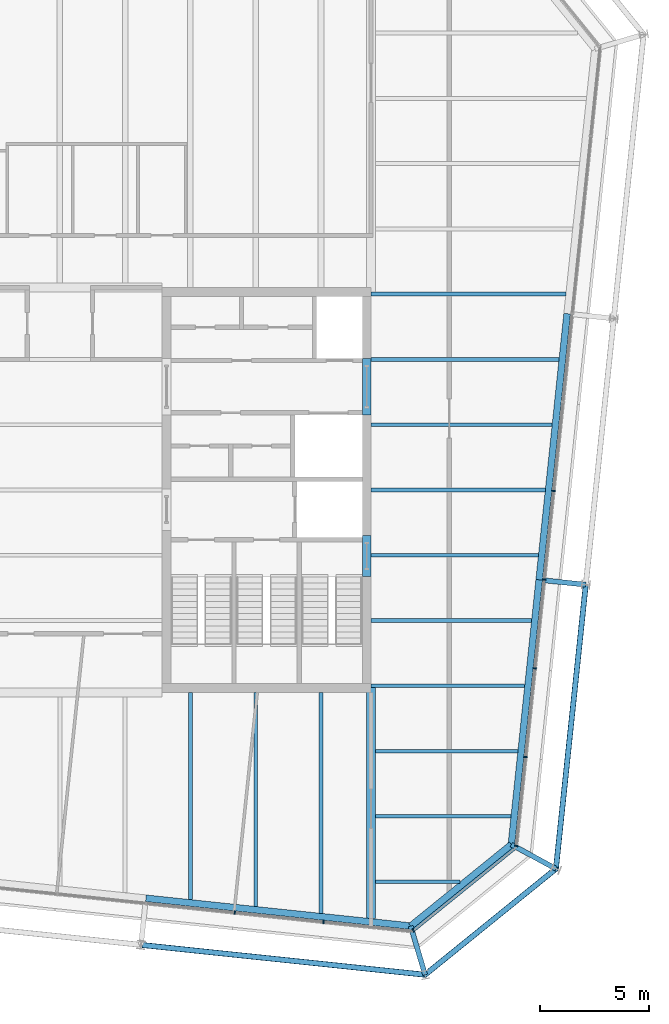
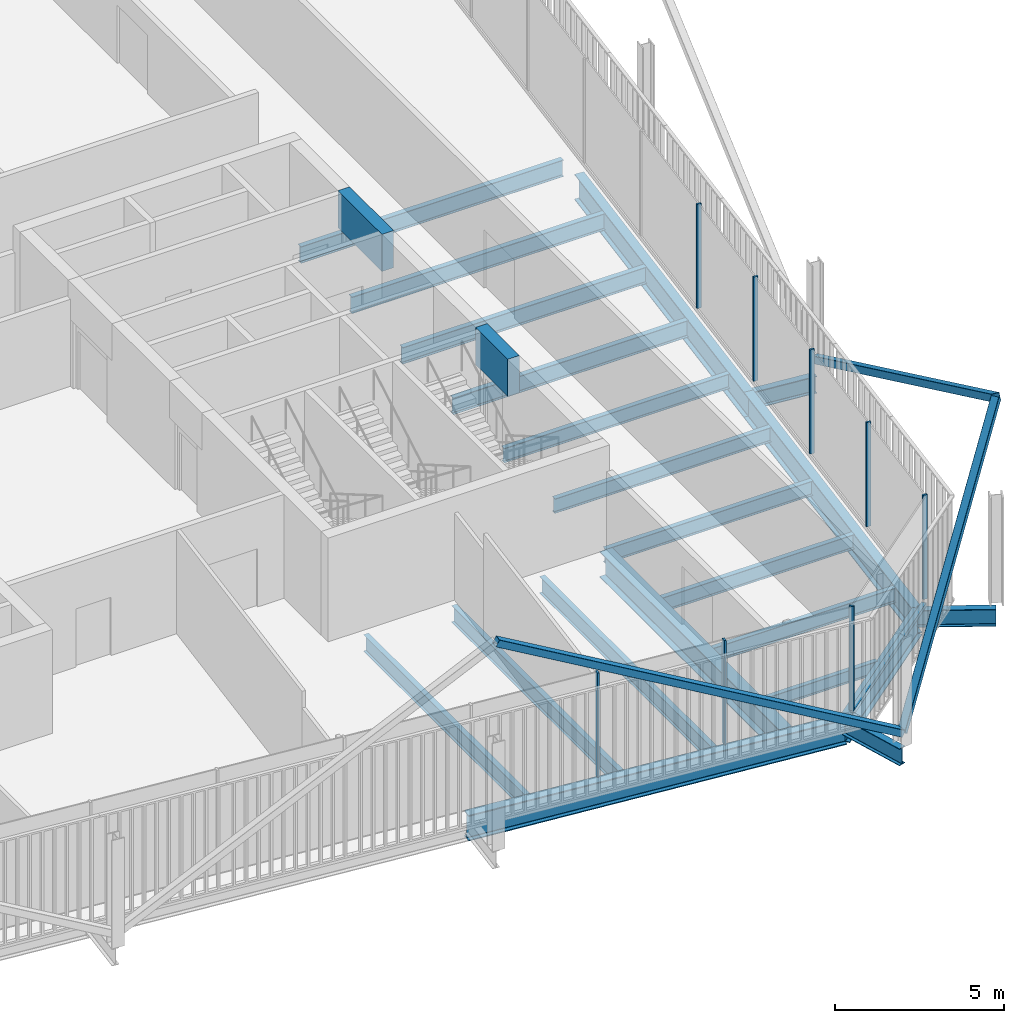
# One storey, part 9 of 21: 23 beams, 12 members, 3 elements without a shape of their own.
"""IFC4 building model written with IfcOpenShell, lengths in metres."""

import ifcopenshell
import ifcopenshell.guid

model = None  # the IFC model being written
_history = None  # IfcOwnerHistory: only IFC2X3 demands one
_inside = {}  # id of a spatial element -> (the spatial element, [elements in it])
_under = {}  # id of a project, library or spatial element -> (it, [spatial elements below it])
_declared = {}  # id of a project -> (the project, [libraries it declares])
_typed = {}  # id of a type object -> (the type object, [elements of that type])
_made_of = {}  # id of a material, layer set ... -> (it, [elements and type objects made of it])


def new_model(schema):
    """Start an empty IFC model of exactly this schema.

    Asked for "IFC4X3", IfcOpenShell would pick the latest addendum, in which some entities
    have other attributes; the version numbers below select the first issue.
    IFC2X3 requires an IfcOwnerHistory on every rooted entity: one is made here for all.
    """
    global model, _history
    if schema == "IFC4X3":
        model = ifcopenshell.file(schema_version=(4, 3, 0, 0))
    else:
        model = ifcopenshell.file(schema=schema)
    _inside.clear()
    _under.clear()
    _declared.clear()
    _typed.clear()
    _made_of.clear()
    _history = None
    if model.schema == "IFC2X3":
        org = make("IfcOrganization", Name="unknown")
        user = make(
            "IfcPersonAndOrganization",
            ThePerson=make("IfcPerson", FamilyName="unknown"),
            TheOrganization=org,
        )
        app = make(
            "IfcApplication",
            ApplicationDeveloper=org,
            Version="unknown",
            ApplicationFullName="unknown",
            ApplicationIdentifier="unknown",
        )
        _history = make(
            "IfcOwnerHistory",
            OwningUser=user,
            OwningApplication=app,
            ChangeAction="ADDED",
            CreationDate=0,
        )
    return model


def make(cls, **values):
    """One entity of the class cls with the attributes given. An attribute that is None is left unset."""
    return model.create_entity(
        cls, **{name: value for name, value in values.items() if value is not None}
    )


def rooted(cls, **values):
    """An entity with a GlobalId (a new one), such as an element, a storey or a relation."""
    return make(cls, GlobalId=ifcopenshell.guid.new(), OwnerHistory=_history, **values)


def si_unit(unit_type, name, prefix=None):
    """IfcSIUnit, for example si_unit("LENGTHUNIT", "METRE", prefix="MILLI")."""
    return make("IfcSIUnit", UnitType=unit_type, Prefix=prefix, Name=name)


def assignment(units):
    """IfcUnitAssignment: the units of a project."""
    return None if units is None else make("IfcUnitAssignment", Units=units)


def point(xyz):
    """IfcCartesianPoint."""
    return None if xyz is None else make("IfcCartesianPoint", Coordinates=xyz)


def direction(xyz):
    """IfcDirection."""
    return None if xyz is None else make("IfcDirection", DirectionRatios=xyz)


def frame(location, z_axis=None, x_axis=None):
    """IfcAxis2Placement3D, a coordinate frame: its origin and axes. An axis left out is left unset."""
    return make(
        "IfcAxis2Placement3D",
        Location=point(location),
        Axis=direction(z_axis),
        RefDirection=direction(x_axis),
    )


def frame_2d(location, x_axis=None):
    """IfcAxis2Placement2D, a coordinate frame in the plane: its origin and x axis."""
    return make(
        "IfcAxis2Placement2D", Location=point(location), RefDirection=direction(x_axis)
    )


def origin():
    """The frame at (0, 0, 0) with its axes left unset."""
    return frame((0.0, 0.0, 0.0))


def origin_2d():
    """The frame at (0, 0) in the plane with its x axis left unset."""
    return frame_2d((0.0, 0.0))


def place(relative_to, where):
    """IfcLocalPlacement: puts the frame where relative to a parent placement (None: the world)."""
    return make(
        "IfcLocalPlacement", PlacementRelTo=relative_to, RelativePlacement=where
    )


def context(
    kind, dimensions, precision=None, world=None, true_north=None, identifier=None
):
    """IfcGeometricRepresentationContext, for example the 3D "Model" context."""
    return make(
        "IfcGeometricRepresentationContext",
        ContextIdentifier=identifier,
        ContextType=kind,
        CoordinateSpaceDimension=dimensions,
        Precision=precision,
        WorldCoordinateSystem=world,
        TrueNorth=true_north,
    )


def subcontext(parent, identifier, kind, view, scale=None):
    """IfcGeometricRepresentationSubContext, for example "Body" below "Model"."""
    return make(
        "IfcGeometricRepresentationSubContext",
        ContextIdentifier=identifier,
        ContextType=kind,
        ParentContext=parent,
        TargetScale=scale,
        TargetView=view,
    )


def project(units=None, contexts=None):
    """IfcProject with its units and contexts."""
    return rooted(
        "IfcProject",
        Name="project",
        RepresentationContexts=contexts,
        UnitsInContext=assignment(units),
    )


def spatial(cls, under=None, at=None, **own):
    """A site, building, storey or space (cls), placed at a placement, below another one or the project."""
    s = rooted(cls, ObjectPlacement=at, **own)
    if under is not None:
        _under.setdefault(under.id(), (under, []))[1].append(s)
    return s


def profile(cls, at=None, kind="AREA", **sizes):
    """A parametric profile (cls). Its sizes go by their IFC names, for example OverallWidth=200.0."""
    return make(cls, ProfileType=kind, Position=at, **sizes)


def rectangle(**sizes):
    """IfcRectangleProfileDef."""
    return profile("IfcRectangleProfileDef", **sizes)


def hollow_rectangle(**sizes):
    """IfcRectangleHollowProfileDef."""
    return profile("IfcRectangleHollowProfileDef", **sizes)


def i_section(**sizes):
    """IfcIShapeProfileDef."""
    return profile("IfcIShapeProfileDef", **sizes)


def extrude(swept, where, along, depth):
    """IfcExtrudedAreaSolid: the profile swept, set in the frame where, extruded along a direction by depth."""
    return make(
        "IfcExtrudedAreaSolid",
        SweptArea=swept,
        Position=where,
        ExtrudedDirection=direction(along),
        Depth=depth,
    )


def shape(context_of_items, identifier, shape_type, items):
    """IfcShapeRepresentation: the items that make up one representation, for example the "Body"."""
    return make(
        "IfcShapeRepresentation",
        ContextOfItems=context_of_items,
        RepresentationIdentifier=identifier,
        RepresentationType=shape_type,
        Items=items,
    )


def material(Name=None, Category=None):
    """IfcMaterial."""
    return make("IfcMaterial", Name=Name, Category=Category)


def layer(
    of_material, thickness, ventilated=None, Name=None, Category=None, Priority=None
):
    """IfcMaterialLayer: one layer of a wall or slab, of a material (None: an air gap)."""
    return make(
        "IfcMaterialLayer",
        Material=of_material,
        LayerThickness=thickness,
        IsVentilated=ventilated,
        Name=Name,
        Category=Category,
        Priority=Priority,
    )


def layer_set(layers, Name=None):
    """IfcMaterialLayerSet."""
    return make("IfcMaterialLayerSet", MaterialLayers=layers, LayerSetName=Name)


def material_profile(
    of_material, cross_section, Name=None, Category=None, Priority=None
):
    """IfcMaterialProfile: a cross section and its material."""
    return make(
        "IfcMaterialProfile",
        Name=Name,
        Material=of_material,
        Profile=cross_section,
        Priority=Priority,
        Category=Category,
    )


def profile_set(profiles, Name=None, composite=None):
    """IfcMaterialProfileSet."""
    return make(
        "IfcMaterialProfileSet",
        Name=Name,
        MaterialProfiles=profiles,
        CompositeProfile=composite,
    )


def made_of(thing, what):
    """Note that an element or type object is made of a material, layer set ...; save() writes the relation."""
    if what is not None:
        _made_of.setdefault(what.id(), (what, []))[1].append(thing)
    return thing


def type_object(cls, material=None, **own):
    """A type object (cls), such as IfcWallType, which elements share."""
    return made_of(rooted(cls, **own), material)


def element(
    cls,
    number,
    at=None,
    inside=None,
    cuts=None,
    type_object=None,
    material=None,
    context=None,
    identifier="Body",
    shape_type=None,
    held_by="IfcProductDefinitionShape",
    body=None,
    shapes=None,
    **own,
):
    """One element of the class cls, such as IfcWall. Its Tag is "e" and its number.

    at: its placement. inside: the storey or other place that contains it. cuts: it is an
    opening in that element (IfcRelVoidsElement). A single representation is given by context,
    identifier, shape_type and body (its items); several are given by shapes. held_by: the class
    of the entity that holds the representations. save() writes the other relations.
    """
    e = rooted(cls, Tag="e%d" % number, ObjectPlacement=at, **own)
    if body is not None:
        shapes = [shape(context, identifier, shape_type, body)]
    if shapes is not None:
        e.Representation = make(held_by, Representations=shapes)
    if inside is not None:
        _inside.setdefault(inside.id(), (inside, []))[1].append(e)
    if cuts is not None:
        rooted(
            "IfcRelVoidsElement", RelatingBuildingElement=cuts, RelatedOpeningElement=e
        )
    if type_object is not None:
        _typed.setdefault(type_object.id(), (type_object, []))[1].append(e)
    return made_of(e, material)


def aggregate(whole, parts):
    """IfcRelAggregates: a whole, such as a stair, and the parts it consists of."""
    return rooted("IfcRelAggregates", RelatingObject=whole, RelatedObjects=parts)


def save(model, path):
    """Write the relations noted so far, then the file.

    IfcRelAggregates (storeys below a building ...), IfcRelContainedInSpatialStructure (elements
    in a storey), IfcRelDefinesByType, IfcRelAssociatesMaterial and IfcRelDeclares: one each for
    every whole, place, type object, material and project.
    """
    for whole, parts in _under.values():
        aggregate(whole, parts)
    for where, things in _inside.values():
        rooted(
            "IfcRelContainedInSpatialStructure",
            RelatedElements=things,
            RelatingStructure=where,
        )
    for kind, things in _typed.values():
        rooted("IfcRelDefinesByType", RelatedObjects=things, RelatingType=kind)
    for what, things in _made_of.values():
        rooted("IfcRelAssociatesMaterial", RelatedObjects=things, RelatingMaterial=what)
    for by, libraries in _declared.values():
        rooted("IfcRelDeclares", RelatingContext=by, RelatedDefinitions=libraries)
    model.write(path)


model = new_model("IFC4")

# Units and contexts
model_context = context("Model", 3, precision=1e-05, world=origin(), true_north=direction((0.0, 1.0)))
body_context = subcontext(model_context, "Body", "Model", "MODEL_VIEW")
ifc_project = project(units=[si_unit("LENGTHUNIT", "METRE"), si_unit("AREAUNIT", "SQUARE_METRE"), si_unit("VOLUMEUNIT", "CUBIC_METRE"), si_unit("PLANEANGLEUNIT", "RADIAN"), si_unit("MASSUNIT", "GRAM", prefix="KILO")], contexts=[model_context])

# Site, building, storey
site_placement = place(None, origin())
site = spatial("IfcSite", under=ifc_project, at=site_placement, CompositionType="ELEMENT")
building_placement = place(site_placement, origin())
building = spatial("IfcBuilding", under=site, at=building_placement, Name="Millrace Tower", CompositionType="ELEMENT")
storey_placement = place(building_placement, frame((0.0, 0.0, 326.5)))
storey = spatial("IfcBuildingStorey", under=building, at=storey_placement, Name="L75", CompositionType="ELEMENT", Elevation=326.5)

# Curtain wall, members
ifc_material_1 = material(Name="Aluminium and glass", Category="aluminium")
ifc_layer = layer(ifc_material_1, 0.14990234375)
ifc_layer_set = layer_set([ifc_layer], Name="Aluminium and glass")
curtain_wall_type = type_object("IfcCurtainWallType", Name="CW-1 office vision curtain wall", PredefinedType="NOTDEFINED", material=ifc_layer_set)
placement = place(storey_placement, origin())
curtain_wall_1 = element("IfcCurtainWall", 1, at=placement, inside=storey, type_object=curtain_wall_type, Name="Curtain wall E-F02 L75", PredefinedType="NOTDEFINED")
ifc_material_2 = material(Name="Aluminium", Category="aluminium")
ifc_material_profile_1 = material_profile(ifc_material_2, rectangle(XDim=0.06494140625, YDim=0.14990234375, at=origin_2d()))
ifc_profile_set_1 = profile_set([ifc_material_profile_1], Name="Aluminium")
member_type_1 = type_object("IfcMemberType", Name="CW-1 office vision curtain wall mullion", PredefinedType="MULLION", material=ifc_profile_set_1)
member_1_placement = place(storey_placement, frame((8.040283203125, -19.4248046875, 0.139892578125), z_axis=(0.0, 0.0, 1.0), x_axis=(0.994521896217, -0.104528455196, 0.0)))
member_1 = element("IfcMember", 2, at=member_1_placement, type_object=member_type_1, Name="CW1 mullion E-F02.8", PredefinedType="MULLION", context=body_context, shape_type="SweptSolid", body=[
    extrude(rectangle(XDim=0.06494140625, YDim=0.14990234375, at=origin_2d()), origin(), (0.0, 0.0, 1.0), 3.760009765625),
])
member_2_placement = place(storey_placement, frame((12.117919921875, -19.853271484375, 0.139892578125), z_axis=(0.0, 0.0, 1.0), x_axis=(0.994521896217, -0.104528455196, 0.0)))
member_2 = element("IfcMember", 3, at=member_2_placement, type_object=member_type_1, Name="CW1 mullion E-F02.9", PredefinedType="MULLION", context=body_context, shape_type="SweptSolid", body=[
    extrude(rectangle(XDim=0.06494140625, YDim=0.14990234375, at=origin_2d()), origin(), (0.0, 0.0, 1.0), 3.760009765625),
])
aggregate(curtain_wall_1, [member_1, member_2])

# Curtain wall, member
curtain_wall_2 = element("IfcCurtainWall", 4, at=placement, inside=storey, type_object=curtain_wall_type, Name="Curtain wall E-F03 L75", PredefinedType="NOTDEFINED")
member_3_placement = place(storey_placement, frame((16.243408203125, -20.24169921875, 0.139892578125), z_axis=(0.0, 0.0, 1.0), x_axis=(0.777146052237, 0.629320278945, 0.0)))
member_3 = element("IfcMember", 5, at=member_3_placement, type_object=member_type_1, Name="CW1 mullion E-F03.1", PredefinedType="MULLION", context=body_context, shape_type="SweptSolid", body=[
    extrude(rectangle(XDim=0.06494140625, YDim=0.14990234375, at=origin_2d()), origin(), (0.0, 0.0, 1.0), 3.760009765625),
])

# Curtain wall, members
curtain_wall_3 = element("IfcCurtainWall", 6, at=placement, inside=storey, type_object=curtain_wall_type, Name="Curtain wall E-F04 L75", PredefinedType="NOTDEFINED")
member_4_placement = place(storey_placement, frame((20.974853515625, -16.3525390625, 0.139892578125), z_axis=(0.0, 0.0, 1.0), x_axis=(0.104528455196, 0.994521896217, 0.0)))
member_4 = element("IfcMember", 7, at=member_4_placement, type_object=member_type_1, Name="CW1 mullion E-F04.1", PredefinedType="MULLION", context=body_context, shape_type="SweptSolid", body=[
    extrude(rectangle(XDim=0.06494140625, YDim=0.14990234375, at=origin_2d()), origin(), (0.0, 0.0, 1.0), 3.760009765625),
])
member_5_placement = place(storey_placement, frame((21.4033203125, -12.27490234375, 0.139892578125), z_axis=(0.0, 0.0, 1.0), x_axis=(0.104528455196, 0.994521896217, 0.0)))
member_5 = element("IfcMember", 8, at=member_5_placement, type_object=member_type_1, Name="CW1 mullion E-F04.2", PredefinedType="MULLION", context=body_context, shape_type="SweptSolid", body=[
    extrude(rectangle(XDim=0.06494140625, YDim=0.14990234375, at=origin_2d()), origin(), (0.0, 0.0, 1.0), 3.760009765625),
])
member_6_placement = place(storey_placement, frame((21.83203125, -8.197509765625, 0.139892578125), z_axis=(0.0, 0.0, 1.0), x_axis=(0.104528455196, 0.994521896217, 0.0)))
member_6 = element("IfcMember", 9, at=member_6_placement, type_object=member_type_1, Name="CW1 mullion E-F04.3", PredefinedType="MULLION", context=body_context, shape_type="SweptSolid", body=[
    extrude(rectangle(XDim=0.06494140625, YDim=0.14990234375, at=origin_2d()), origin(), (0.0, 0.0, 1.0), 3.760009765625),
])
member_7_placement = place(storey_placement, frame((22.260498046875, -4.119873046875, 0.139892578125), z_axis=(0.0, 0.0, 1.0), x_axis=(0.104528455196, 0.994521896217, 0.0)))
member_7 = element("IfcMember", 10, at=member_7_placement, type_object=member_type_1, Name="CW1 mullion E-F04.4", PredefinedType="MULLION", context=body_context, shape_type="SweptSolid", body=[
    extrude(rectangle(XDim=0.06494140625, YDim=0.14990234375, at=origin_2d()), origin(), (0.0, 0.0, 1.0), 3.760009765625),
])
member_8_placement = place(storey_placement, frame((22.68896484375, -0.042236328125, 0.139892578125), z_axis=(0.0, 0.0, 1.0), x_axis=(0.104528455196, 0.994521896217, 0.0)))
member_8 = element("IfcMember", 11, at=member_8_placement, type_object=member_type_1, Name="CW1 mullion E-F04.5", PredefinedType="MULLION", context=body_context, shape_type="SweptSolid", body=[
    extrude(rectangle(XDim=0.06494140625, YDim=0.14990234375, at=origin_2d()), origin(), (0.0, 0.0, 1.0), 3.760009765625),
])
aggregate(curtain_wall_3, [member_4, member_5, member_6, member_7, member_8])

# Member
ifc_material_3 = material(Name="Aluminium", Category="aluminium")
ifc_material_profile_2 = material_profile(ifc_material_3, rectangle(XDim=0.14990234375, YDim=0.139892578125, at=origin_2d()))
ifc_profile_set_2 = profile_set([ifc_material_profile_2], Name="Aluminium")
member_type_2 = type_object("IfcMemberType", Name="CW-1 office vision curtain wall transom", PredefinedType="USERDEFINED", material=ifc_profile_set_2)
member_9_placement = place(storey_placement, frame((16.2958984375, -20.19921875, 0.070068359375), z_axis=(0.77714915117, 0.629316452061, 0.0), x_axis=(-0.629316452061, 0.77714915117, 0.0)))
member_9 = element("IfcMember", 12, at=member_9_placement, type_object=member_type_2, Name="CW1 transom E-F03.1", ObjectType="TRANSOM", PredefinedType="USERDEFINED", context=body_context, shape_type="SweptSolid", body=[
    extrude(rectangle(XDim=0.14990234375, YDim=0.139892578125, at=origin_2d()), origin(), (0.0, 0.0, 1.0), 5.880859375),
])

aggregate(curtain_wall_2, [member_3, member_9])

# Beams
ifc_material_4 = material(Name="Concrete C60", Category="concrete")
ifc_material_profile_3 = material_profile(ifc_material_4, rectangle(XDim=0.39990234375, YDim=1.340087890625, at=origin_2d()))
ifc_profile_set_3 = profile_set([ifc_material_profile_3], Name="Concrete C60")
beam_type_1 = type_object("IfcBeamType", Name="Coupling beam 400 x 1340 Concrete C60, 1300 opening", PredefinedType="BEAM", material=ifc_profile_set_3)
beam_1_placement = place(storey_placement, frame((14.10009765625, -2.080078125, 3.070068359375), z_axis=(0.0, -1.0, 0.0), x_axis=(1.0, 0.0, 0.0)))
element("IfcBeam", 13, at=beam_1_placement, inside=storey, type_object=beam_type_1, Name="Coupling beam E L75", PredefinedType="BEAM", context=body_context, shape_type="SweptSolid", body=[
    extrude(rectangle(XDim=0.39990234375, YDim=1.340087890625, at=origin_2d()), origin(), (0.0, 0.0, 1.0), 1.89990234375),
])
ifc_material_5 = material(Name="Concrete C60", Category="concrete")
ifc_material_profile_4 = material_profile(ifc_material_5, rectangle(XDim=0.39990234375, YDim=1.340087890625, at=origin_2d()))
ifc_profile_set_4 = profile_set([ifc_material_profile_4], Name="Concrete C60")
beam_type_2 = type_object("IfcBeamType", Name="Coupling beam 400 x 1340 Concrete C60, 2000 opening", PredefinedType="BEAM", material=ifc_profile_set_4)
beam_2_placement = place(storey_placement, frame((14.10009765625, 6.050048828125, 3.070068359375), z_axis=(0.0, -1.0, 0.0), x_axis=(1.0, 0.0, 0.0)))
element("IfcBeam", 14, at=beam_2_placement, inside=storey, type_object=beam_type_2, Name="Coupling beam E L75", PredefinedType="BEAM", context=body_context, shape_type="SweptSolid", body=[
    extrude(rectangle(XDim=0.39990234375, YDim=1.340087890625, at=origin_2d()), origin(), (0.0, 0.0, 1.0), 2.60009765625),
])

# Members
ifc_material_6 = material(Name="Steel ASTM A500 Grade C", Category="steel")
ifc_material_profile_5 = material_profile(ifc_material_6, hollow_rectangle(XDim=0.25390625, YDim=0.25390625, WallThickness=0.009521484375, InnerFilletRadius=0.004638671875, OuterFilletRadius=0.014404296875, at=origin_2d()))
ifc_profile_set_5 = profile_set([ifc_material_profile_5], Name="Steel ASTM A500 Grade C")
member_type_3 = type_object("IfcMemberType", Name="Exoskeleton brace HSS10x10x3/8", PredefinedType="BRACE", material=ifc_profile_set_5)
member_10_placement = place(storey_placement, frame((16.78564453125, -22.279541015625, 0.39990234375), z_axis=(-0.877568210125, 0.092238278747, 0.470495628578), x_axis=(-0.104530865473, -0.994521642883, 0.0)))
element("IfcMember", 15, at=member_10_placement, inside=storey, type_object=member_type_3, Name="BRC-E-L75-04", PredefinedType="BRACE", context=body_context, shape_type="SweptSolid", body=[
    extrude(hollow_rectangle(XDim=0.25390625, YDim=0.25390625, WallThickness=0.009521484375, InnerFilletRadius=0.004638671875, OuterFilletRadius=0.014404296875, at=origin_2d()), origin(), (0.0, 0.0, 1.0), 14.8779296875),
])
member_11_placement = place(storey_placement, frame((16.78564453125, -22.279541015625, 0.39990234375), z_axis=(0.576329152125, 0.466688099557, 0.670855369021), x_axis=(-0.629308952043, 0.777155224442, 0.0)))
element("IfcMember", 16, at=member_11_placement, inside=storey, type_object=member_type_3, Name="BRC-E-L75-05", PredefinedType="BRACE", context=body_context, shape_type="SweptSolid", body=[
    extrude(hollow_rectangle(XDim=0.25390625, YDim=0.25390625, WallThickness=0.009521484375, InnerFilletRadius=0.004638671875, OuterFilletRadius=0.014404296875, at=origin_2d()), origin(), (0.0, 0.0, 1.0), 10.434326171875),
])
member_12_placement = place(storey_placement, frame((24.171630859375, -4.353271484375, 0.39990234375), z_axis=(-0.092236950483, -0.877571982182, 0.470488853274), x_axis=(0.994521846076, -0.104528932251, 0.0)))
element("IfcMember", 17, at=member_12_placement, inside=storey, type_object=member_type_3, Name="BRC-E-L75-06", PredefinedType="BRACE", context=body_context, shape_type="SweptSolid", body=[
    extrude(hollow_rectangle(XDim=0.25390625, YDim=0.25390625, WallThickness=0.009521484375, InnerFilletRadius=0.004638671875, OuterFilletRadius=0.014404296875, at=origin_2d()), origin(), (0.0, 0.0, 1.0), 14.878173828125),
])

# Beams
ifc_material_7 = material(Name="Steel ASTM A992 Grade 50", Category="steel")
ifc_material_profile_6 = material_profile(ifc_material_7, i_section(OverallWidth=0.15234375, OverallDepth=0.449462890625, WebThickness=0.007568359375, FlangeThickness=0.0107421875, FilletRadius=0.01025390625, at=origin_2d()))
ifc_profile_set_6 = profile_set([ifc_material_profile_6], Name="Steel ASTM A992 Grade 50")
beam_type_3 = type_object("IfcBeamType", Name="Floor beam W18x35", PredefinedType="JOIST", material=ifc_profile_set_6)
beam_3_placement = place(storey_placement, frame((14.509521484375, -18.0, -0.384765625), z_axis=(1.0, 0.0, 0.0), x_axis=(0.0, 1.0, 0.0)))
element("IfcBeam", 18, at=beam_3_placement, inside=storey, type_object=beam_type_3, Name="BM-E-L75-S1-S001", PredefinedType="JOIST", context=body_context, shape_type="SweptSolid", body=[
    extrude(i_section(OverallWidth=0.15234375, OverallDepth=0.449462890625, WebThickness=0.007568359375, FlangeThickness=0.0107421875, FilletRadius=0.01025390625, at=origin_2d()), origin(), (0.0, 0.0, 1.0), 3.87060546875),
])
ifc_material_8 = material(Name="Steel ASTM A992 Grade 50", Category="steel")
ifc_material_profile_7 = material_profile(ifc_material_8, i_section(OverallWidth=0.1650390625, OverallDepth=0.52587890625, WebThickness=0.0087890625, FlangeThickness=0.011474609375, FilletRadius=0.0126953125, at=origin_2d()))
ifc_profile_set_7 = profile_set([ifc_material_profile_7], Name="Steel ASTM A992 Grade 50")
beam_type_4 = type_object("IfcBeamType", Name="Floor beam W21x44", PredefinedType="JOIST", material=ifc_profile_set_7)
beam_4_placement = place(storey_placement, frame((14.509521484375, -15.0, -0.4228515625), z_axis=(1.0, 0.0, 0.0), x_axis=(0.0, 1.0, 0.0)))
element("IfcBeam", 19, at=beam_4_placement, inside=storey, type_object=beam_type_4, Name="BM-E-L75-S1-S003", PredefinedType="JOIST", context=body_context, shape_type="SweptSolid", body=[
    extrude(i_section(OverallWidth=0.1650390625, OverallDepth=0.52587890625, WebThickness=0.0087890625, FlangeThickness=0.011474609375, FilletRadius=0.0126953125, at=origin_2d()), origin(), (0.0, 0.0, 1.0), 6.222900390625),
])
beam_5_placement = place(storey_placement, frame((14.509521484375, -12.0, -0.4228515625), z_axis=(1.0, 0.0, 0.0), x_axis=(0.0, 1.0, 0.0)))
element("IfcBeam", 20, at=beam_5_placement, inside=storey, type_object=beam_type_4, Name="BM-E-L75-S1-S005", PredefinedType="JOIST", context=body_context, shape_type="SweptSolid", body=[
    extrude(i_section(OverallWidth=0.1650390625, OverallDepth=0.52587890625, WebThickness=0.0087890625, FlangeThickness=0.011474609375, FilletRadius=0.0126953125, at=origin_2d()), origin(), (0.0, 0.0, 1.0), 6.538330078125),
])
beam_6_placement = place(storey_placement, frame((14.300048828125, -9.0, -0.4228515625), z_axis=(1.0, 0.0, 0.0), x_axis=(0.0, 1.0, 0.0)))
element("IfcBeam", 21, at=beam_6_placement, inside=storey, type_object=beam_type_4, Name="BM-E-L75-S1-S007", PredefinedType="JOIST", context=body_context, shape_type="SweptSolid", body=[
    extrude(i_section(OverallWidth=0.1650390625, OverallDepth=0.52587890625, WebThickness=0.0087890625, FlangeThickness=0.011474609375, FilletRadius=0.0126953125, at=origin_2d()), origin(), (0.0, 0.0, 1.0), 7.06298828125),
])
beam_7_placement = place(storey_placement, frame((14.300048828125, -6.0, -0.4228515625), z_axis=(1.0, 0.0, 0.0), x_axis=(0.0, 1.0, 0.0)))
element("IfcBeam", 22, at=beam_7_placement, inside=storey, type_object=beam_type_4, Name="BM-E-L75-S1-S010", PredefinedType="JOIST", context=body_context, shape_type="SweptSolid", body=[
    extrude(i_section(OverallWidth=0.1650390625, OverallDepth=0.52587890625, WebThickness=0.0087890625, FlangeThickness=0.011474609375, FilletRadius=0.0126953125, at=origin_2d()), origin(), (0.0, 0.0, 1.0), 7.37841796875),
])
beam_8_placement = place(storey_placement, frame((14.300048828125, -3.0, -0.4228515625), z_axis=(1.0, 0.0, 0.0), x_axis=(0.0, 1.0, 0.0)))
element("IfcBeam", 23, at=beam_8_placement, inside=storey, type_object=beam_type_4, Name="BM-E-L75-S1-S013", PredefinedType="JOIST", context=body_context, shape_type="SweptSolid", body=[
    extrude(i_section(OverallWidth=0.1650390625, OverallDepth=0.52587890625, WebThickness=0.0087890625, FlangeThickness=0.011474609375, FilletRadius=0.0126953125, at=origin_2d()), origin(), (0.0, 0.0, 1.0), 7.693603515625),
])
ifc_material_9 = material(Name="Steel ASTM A992 Grade 50", Category="steel")
ifc_material_profile_8 = material_profile(ifc_material_9, i_section(OverallWidth=0.177978515625, OverallDepth=0.599365234375, WebThickness=0.010009765625, FlangeThickness=0.012939453125, FilletRadius=0.012939453125, at=origin_2d()))
ifc_profile_set_8 = profile_set([ifc_material_profile_8], Name="Steel ASTM A992 Grade 50")
beam_type_5 = type_object("IfcBeamType", Name="Floor beam W24x55", PredefinedType="JOIST", material=ifc_profile_set_8)
beam_9_placement = place(storey_placement, frame((14.300048828125, 0.0, -0.459716796875), z_axis=(1.0, 0.0, 0.0), x_axis=(0.0, 1.0, 0.0)))
element("IfcBeam", 24, at=beam_9_placement, inside=storey, type_object=beam_type_5, Name="BM-E-L75-S1-S016", PredefinedType="JOIST", context=body_context, shape_type="SweptSolid", body=[
    extrude(i_section(OverallWidth=0.177978515625, OverallDepth=0.599365234375, WebThickness=0.010009765625, FlangeThickness=0.012939453125, FilletRadius=0.012939453125, at=origin_2d()), origin(), (0.0, 0.0, 1.0), 8.009033203125),
])
beam_10_placement = place(storey_placement, frame((14.300048828125, 3.0, -0.459716796875), z_axis=(1.0, 0.0, 0.0), x_axis=(0.0, 1.0, 0.0)))
element("IfcBeam", 25, at=beam_10_placement, inside=storey, type_object=beam_type_5, Name="BM-E-L75-S1-S019", PredefinedType="JOIST", context=body_context, shape_type="SweptSolid", body=[
    extrude(i_section(OverallWidth=0.177978515625, OverallDepth=0.599365234375, WebThickness=0.010009765625, FlangeThickness=0.012939453125, FilletRadius=0.012939453125, at=origin_2d()), origin(), (0.0, 0.0, 1.0), 8.324462890625),
])
beam_11_placement = place(storey_placement, frame((14.300048828125, 6.0, -0.459716796875), z_axis=(1.0, 0.0, 0.0), x_axis=(0.0, 1.0, 0.0)))
element("IfcBeam", 26, at=beam_11_placement, inside=storey, type_object=beam_type_5, Name="BM-E-L75-S1-S022", PredefinedType="JOIST", context=body_context, shape_type="SweptSolid", body=[
    extrude(i_section(OverallWidth=0.177978515625, OverallDepth=0.599365234375, WebThickness=0.010009765625, FlangeThickness=0.012939453125, FilletRadius=0.012939453125, at=origin_2d()), origin(), (0.0, 0.0, 1.0), 8.6396484375),
])
beam_12_placement = place(storey_placement, frame((14.300048828125, 9.0, -0.459716796875), z_axis=(1.0, 0.0, 0.0), x_axis=(0.0, 1.0, 0.0)))
element("IfcBeam", 27, at=beam_12_placement, inside=storey, type_object=beam_type_5, Name="BM-E-L75-S1-S024", PredefinedType="JOIST", context=body_context, shape_type="SweptSolid", body=[
    extrude(i_section(OverallWidth=0.177978515625, OverallDepth=0.599365234375, WebThickness=0.010009765625, FlangeThickness=0.012939453125, FilletRadius=0.012939453125, at=origin_2d()), origin(), (0.0, 0.0, 1.0), 8.955078125),
])
beam_13_placement = place(storey_placement, frame((6.0, -18.825927734375, -0.459716796875), z_axis=(0.0, 1.0, 0.0), x_axis=(-1.0, 0.0, 0.0)))
element("IfcBeam", 28, at=beam_13_placement, inside=storey, type_object=beam_type_5, Name="BM-E-L75-S1-S049", PredefinedType="JOIST", context=body_context, shape_type="SweptSolid", body=[
    extrude(i_section(OverallWidth=0.177978515625, OverallDepth=0.599365234375, WebThickness=0.010009765625, FlangeThickness=0.012939453125, FilletRadius=0.012939453125, at=origin_2d()), origin(), (0.0, 0.0, 1.0), 9.52587890625),
])
beam_14_placement = place(storey_placement, frame((9.0, -19.14111328125, -0.459716796875), z_axis=(0.0, 1.0, 0.0), x_axis=(-1.0, 0.0, 0.0)))
element("IfcBeam", 29, at=beam_14_placement, inside=storey, type_object=beam_type_5, Name="BM-E-L75-S1-S051", PredefinedType="JOIST", context=body_context, shape_type="SweptSolid", body=[
    extrude(i_section(OverallWidth=0.177978515625, OverallDepth=0.599365234375, WebThickness=0.010009765625, FlangeThickness=0.012939453125, FilletRadius=0.012939453125, at=origin_2d()), origin(), (0.0, 0.0, 1.0), 9.841064453125),
])
ifc_material_10 = material(Name="Steel ASTM A992 Grade 50", Category="steel")
ifc_material_profile_9 = material_profile(ifc_material_10, i_section(OverallWidth=0.1787109375, OverallDepth=0.60205078125, WebThickness=0.010986328125, FlangeThickness=0.014892578125, FilletRadius=0.0126953125, at=origin_2d()))
ifc_profile_set_9 = profile_set([ifc_material_profile_9], Name="Steel ASTM A992 Grade 50")
beam_type_6 = type_object("IfcBeamType", Name="Floor beam W24x62", PredefinedType="JOIST", material=ifc_profile_set_9)
beam_15_placement = place(storey_placement, frame((12.0, -19.45654296875, -0.4609375), z_axis=(0.0, 1.0, 0.0), x_axis=(-1.0, 0.0, 0.0)))
element("IfcBeam", 30, at=beam_15_placement, inside=storey, type_object=beam_type_6, Name="BM-E-L75-S1-S053", PredefinedType="JOIST", context=body_context, shape_type="SweptSolid", body=[
    extrude(i_section(OverallWidth=0.1787109375, OverallDepth=0.60205078125, WebThickness=0.010986328125, FlangeThickness=0.014892578125, FilletRadius=0.0126953125, at=origin_2d()), origin(), (0.0, 0.0, 1.0), 10.156494140625),
])
ifc_material_11 = material(Name="Steel ASTM A992 Grade 50", Category="steel")
ifc_material_profile_10 = material_profile(ifc_material_11, i_section(OverallWidth=0.419189453125, OverallDepth=0.927001953125, WebThickness=0.019287109375, FlangeThickness=0.031982421875, FilletRadius=0.024169921875, at=origin_2d()))
ifc_profile_set_10 = profile_set([ifc_material_profile_10], Name="Steel ASTM A992 Grade 50")
beam_type_7 = type_object("IfcBeamType", Name="Girder short span W36x231", PredefinedType="BEAM", material=ifc_profile_set_10)
beam_16_placement = place(storey_placement, frame((14.300048828125, -19.6982421875, -0.62353515625), z_axis=(0.0, 1.0, 0.0), x_axis=(-1.0, 0.0, 0.0)))
element("IfcBeam", 31, at=beam_16_placement, inside=storey, type_object=beam_type_7, Name="BM-E-L75-S1-G057", PredefinedType="BEAM", context=body_context, shape_type="SweptSolid", body=[
    extrude(i_section(OverallWidth=0.419189453125, OverallDepth=0.927001953125, WebThickness=0.019287109375, FlangeThickness=0.031982421875, FilletRadius=0.024169921875, at=origin_2d()), origin(), (0.0, 0.0, 1.0), 10.6142578125),
])
ifc_material_12 = material(Name="Steel ASTM A992 Grade 50", Category="steel")
ifc_material_profile_11 = material_profile(ifc_material_12, i_section(OverallWidth=0.23046875, OverallDepth=0.6171875, WebThickness=0.01318359375, FlangeThickness=0.022216796875, FilletRadius=0.012939453125, at=origin_2d()))
ifc_profile_set_11 = profile_set([ifc_material_profile_11], Name="Steel ASTM A992 Grade 50")
beam_type_8 = type_object("IfcBeamType", Name="Link beam W24x94", PredefinedType="BEAM", material=ifc_profile_set_11)
beam_17_placement = place(storey_placement, frame((22.1826171875, -4.144287109375, -0.468505859375), z_axis=(0.99452550138, -0.104494148666, 0.0), x_axis=(0.104494148666, 0.99452550138, 0.0)))
element("IfcBeam", 32, at=beam_17_placement, inside=storey, type_object=beam_type_8, Name="LNK-E-L75-S1-11", PredefinedType="BEAM", context=body_context, shape_type="SweptSolid", body=[
    extrude(i_section(OverallWidth=0.23046875, OverallDepth=0.6171875, WebThickness=0.01318359375, FlangeThickness=0.022216796875, FilletRadius=0.012939453125, at=origin_2d()), origin(), (0.0, 0.0, 1.0), 2.0),
])
for number, where, z_axis, x_axis, name in (
    (33, (20.750732421875, -16.297607421875, -0.468505859375), (0.87881453358, -0.477163510307, 0.0), (0.477163510307, 0.87881453358, 0.0), "LNK-E-L75-S1-12"),
    (34, (16.123779296875, -20.04443359375, -0.468505859375), (0.283934988541, -0.958843533785, 0.0), (0.958843533785, 0.283934988541, 0.0), "LNK-E-L75-S1-13"),
):
    element("IfcBeam", number, at=place(storey_placement, frame(where, z_axis=z_axis, x_axis=x_axis)), inside=storey, type_object=beam_type_8, Name=name, PredefinedType="BEAM", context=body_context, shape_type="SweptSolid", body=[
        extrude(i_section(OverallWidth=0.23046875, OverallDepth=0.6171875, WebThickness=0.01318359375, FlangeThickness=0.022216796875, FilletRadius=0.012939453125, at=origin_2d()), origin(), (0.0, 0.0, 1.0), 2.3310546875),
    ])
ifc_material_13 = material(Name="Steel ASTM A992 Grade 50", Category="steel")
ifc_material_profile_12 = material_profile(ifc_material_13, i_section(OverallWidth=0.307373046875, OverallDepth=0.927001953125, WebThickness=0.01953125, FlangeThickness=0.031982421875, FilletRadius=0.01904296875, at=origin_2d()))
ifc_profile_set_12 = profile_set([ifc_material_profile_12], Name="Steel ASTM A992 Grade 50")
beam_type_9 = type_object("IfcBeamType", Name="Ring beam medium span W36x194", PredefinedType="SPANDREL", material=ifc_profile_set_12)
beam_18_placement = place(storey_placement, frame((23.3154296875, 8.104248046875, -0.62353515625), z_axis=(-0.10452566363, -0.994522189618, 0.0), x_axis=(0.994522189618, -0.10452566363, 0.0)))
element("IfcBeam", 35, at=beam_18_placement, inside=storey, type_object=beam_type_9, Name="RNG-E-L75-S1-10", PredefinedType="SPANDREL", context=body_context, shape_type="SweptSolid", body=[
    extrude(i_section(OverallWidth=0.307373046875, OverallDepth=0.927001953125, WebThickness=0.01953125, FlangeThickness=0.031982421875, FilletRadius=0.01904296875, at=origin_2d()), origin(), (0.0, 0.0, 1.0), 12.2998046875),
])
for number, where, z_axis, x_axis, name in (
    (36, (22.02978515625, -4.128173828125, -0.62353515625), (-0.104527955888, -0.994521948696, 0.0), (0.994521948696, -0.104527955888, 0.0), "RNG-E-L75-S1-11"),
    (37, (16.123779296875, -20.04443359375, -0.62353515625), (-0.994521948696, 0.104527955888, 0.0), (-0.104527955888, -0.994521948696, 0.0), "RNG-E-L75-S1-13"),
):
    element("IfcBeam", number, at=place(storey_placement, frame(where, z_axis=z_axis, x_axis=x_axis)), inside=storey, type_object=beam_type_9, Name=name, PredefinedType="SPANDREL", context=body_context, shape_type="SweptSolid", body=[
        extrude(i_section(OverallWidth=0.307373046875, OverallDepth=0.927001953125, WebThickness=0.01953125, FlangeThickness=0.031982421875, FilletRadius=0.01904296875, at=origin_2d()), origin(), (0.0, 0.0, 1.0), 12.236572265625),
    ])
ifc_material_14 = material(Name="Steel ASTM A992 Grade 50", Category="steel")
ifc_material_profile_13 = material_profile(ifc_material_14, i_section(OverallWidth=0.307373046875, OverallDepth=0.927001953125, WebThickness=0.01953125, FlangeThickness=0.031982421875, FilletRadius=0.01904296875, at=origin_2d()))
ifc_profile_set_13 = profile_set([ifc_material_profile_13], Name="Steel ASTM A992 Grade 50")
beam_type_10 = type_object("IfcBeamType", Name="Ring beam short span W36x194", PredefinedType="SPANDREL", material=ifc_profile_set_13)
beam_19_placement = place(storey_placement, frame((20.750732421875, -16.297607421875, -0.62353515625), z_axis=(-0.777146502883, -0.629319722443, 0.0), x_axis=(0.629319722443, -0.777146502883, 0.0)))
element("IfcBeam", 38, at=beam_19_placement, inside=storey, type_object=beam_type_10, Name="RNG-E-L75-S1-12", PredefinedType="SPANDREL", context=body_context, shape_type="SweptSolid", body=[
    extrude(i_section(OverallWidth=0.307373046875, OverallDepth=0.927001953125, WebThickness=0.01953125, FlangeThickness=0.031982421875, FilletRadius=0.01904296875, at=origin_2d()), origin(), (0.0, 0.0, 1.0), 5.953857421875),
])

save(model, "model.ifc")
